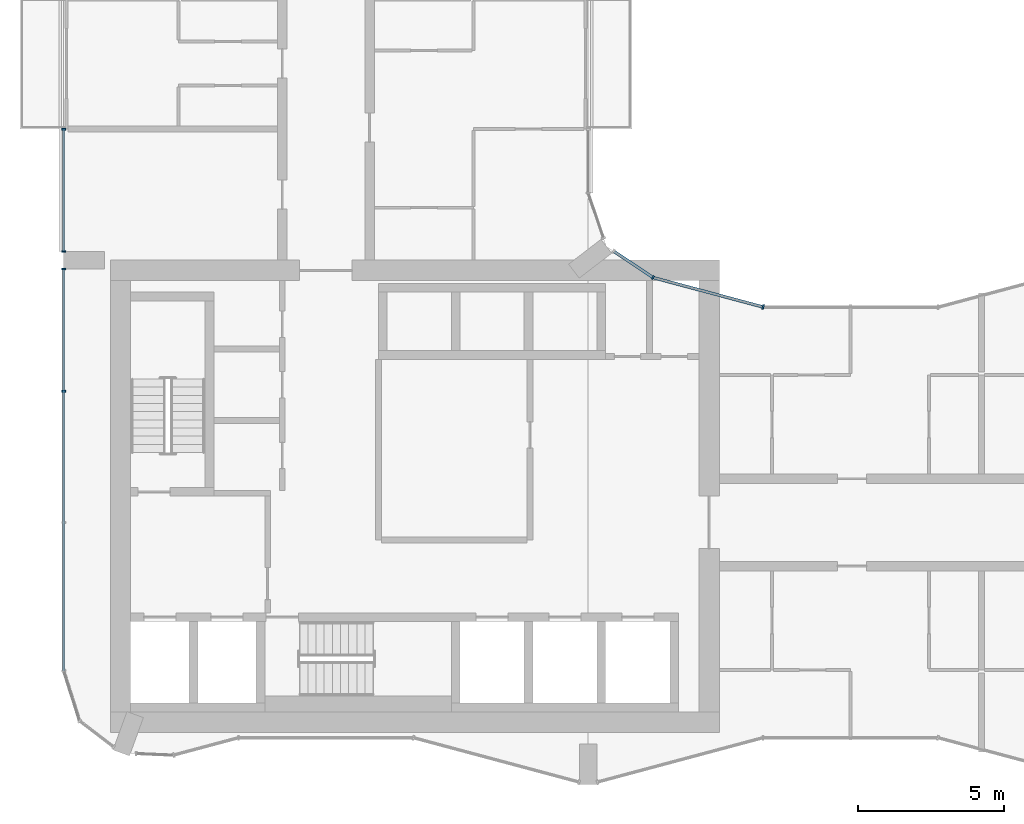
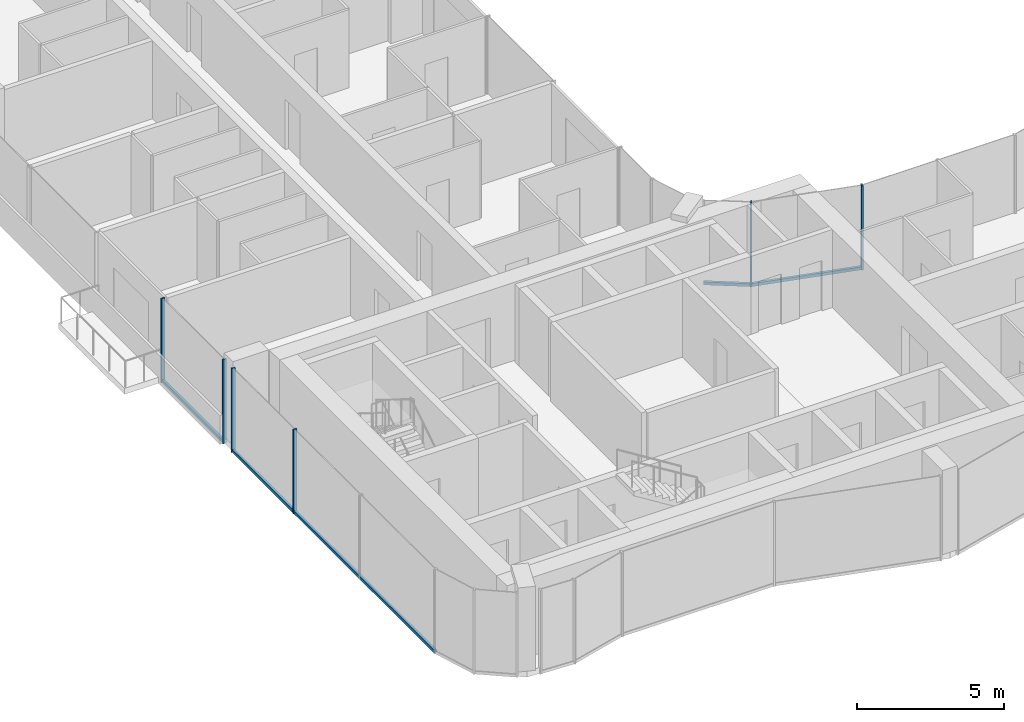
# One storey, part 3 of 23: 10 members, 4 elements without a shape of their own.
"""IFC4 building model written with IfcOpenShell, lengths in metres."""

import ifcopenshell
import ifcopenshell.guid

model = None  # the IFC model being written
_history = None  # IfcOwnerHistory: only IFC2X3 demands one
_inside = {}  # id of a spatial element -> (the spatial element, [elements in it])
_under = {}  # id of a project, library or spatial element -> (it, [spatial elements below it])
_declared = {}  # id of a project -> (the project, [libraries it declares])
_typed = {}  # id of a type object -> (the type object, [elements of that type])
_made_of = {}  # id of a material, layer set ... -> (it, [elements and type objects made of it])


def new_model(schema):
    """Start an empty IFC model of exactly this schema.

    Asked for "IFC4X3", IfcOpenShell would pick the latest addendum, in which some entities
    have other attributes; the version numbers below select the first issue.
    IFC2X3 requires an IfcOwnerHistory on every rooted entity: one is made here for all.
    """
    global model, _history
    if schema == "IFC4X3":
        model = ifcopenshell.file(schema_version=(4, 3, 0, 0))
    else:
        model = ifcopenshell.file(schema=schema)
    _inside.clear()
    _under.clear()
    _declared.clear()
    _typed.clear()
    _made_of.clear()
    _history = None
    if model.schema == "IFC2X3":
        org = make("IfcOrganization", Name="unknown")
        user = make(
            "IfcPersonAndOrganization",
            ThePerson=make("IfcPerson", FamilyName="unknown"),
            TheOrganization=org,
        )
        app = make(
            "IfcApplication",
            ApplicationDeveloper=org,
            Version="unknown",
            ApplicationFullName="unknown",
            ApplicationIdentifier="unknown",
        )
        _history = make(
            "IfcOwnerHistory",
            OwningUser=user,
            OwningApplication=app,
            ChangeAction="ADDED",
            CreationDate=0,
        )
    return model


def make(cls, **values):
    """One entity of the class cls with the attributes given. An attribute that is None is left unset."""
    return model.create_entity(
        cls, **{name: value for name, value in values.items() if value is not None}
    )


def rooted(cls, **values):
    """An entity with a GlobalId (a new one), such as an element, a storey or a relation."""
    return make(cls, GlobalId=ifcopenshell.guid.new(), OwnerHistory=_history, **values)


def si_unit(unit_type, name, prefix=None):
    """IfcSIUnit, for example si_unit("LENGTHUNIT", "METRE", prefix="MILLI")."""
    return make("IfcSIUnit", UnitType=unit_type, Prefix=prefix, Name=name)


def assignment(units):
    """IfcUnitAssignment: the units of a project."""
    return None if units is None else make("IfcUnitAssignment", Units=units)


def point(xyz):
    """IfcCartesianPoint."""
    return None if xyz is None else make("IfcCartesianPoint", Coordinates=xyz)


def direction(xyz):
    """IfcDirection."""
    return None if xyz is None else make("IfcDirection", DirectionRatios=xyz)


def frame(location, z_axis=None, x_axis=None):
    """IfcAxis2Placement3D, a coordinate frame: its origin and axes. An axis left out is left unset."""
    return make(
        "IfcAxis2Placement3D",
        Location=point(location),
        Axis=direction(z_axis),
        RefDirection=direction(x_axis),
    )


def frame_2d(location, x_axis=None):
    """IfcAxis2Placement2D, a coordinate frame in the plane: its origin and x axis."""
    return make(
        "IfcAxis2Placement2D", Location=point(location), RefDirection=direction(x_axis)
    )


def origin():
    """The frame at (0, 0, 0) with its axes left unset."""
    return frame((0.0, 0.0, 0.0))


def origin_2d():
    """The frame at (0, 0) in the plane with its x axis left unset."""
    return frame_2d((0.0, 0.0))


def place(relative_to, where):
    """IfcLocalPlacement: puts the frame where relative to a parent placement (None: the world)."""
    return make(
        "IfcLocalPlacement", PlacementRelTo=relative_to, RelativePlacement=where
    )


def context(
    kind, dimensions, precision=None, world=None, true_north=None, identifier=None
):
    """IfcGeometricRepresentationContext, for example the 3D "Model" context."""
    return make(
        "IfcGeometricRepresentationContext",
        ContextIdentifier=identifier,
        ContextType=kind,
        CoordinateSpaceDimension=dimensions,
        Precision=precision,
        WorldCoordinateSystem=world,
        TrueNorth=true_north,
    )


def subcontext(parent, identifier, kind, view, scale=None):
    """IfcGeometricRepresentationSubContext, for example "Body" below "Model"."""
    return make(
        "IfcGeometricRepresentationSubContext",
        ContextIdentifier=identifier,
        ContextType=kind,
        ParentContext=parent,
        TargetScale=scale,
        TargetView=view,
    )


def project(units=None, contexts=None):
    """IfcProject with its units and contexts."""
    return rooted(
        "IfcProject",
        Name="project",
        RepresentationContexts=contexts,
        UnitsInContext=assignment(units),
    )


def spatial(cls, under=None, at=None, **own):
    """A site, building, storey or space (cls), placed at a placement, below another one or the project."""
    s = rooted(cls, ObjectPlacement=at, **own)
    if under is not None:
        _under.setdefault(under.id(), (under, []))[1].append(s)
    return s


def profile(cls, at=None, kind="AREA", **sizes):
    """A parametric profile (cls). Its sizes go by their IFC names, for example OverallWidth=200.0."""
    return make(cls, ProfileType=kind, Position=at, **sizes)


def rectangle(**sizes):
    """IfcRectangleProfileDef."""
    return profile("IfcRectangleProfileDef", **sizes)


def extrude(swept, where, along, depth):
    """IfcExtrudedAreaSolid: the profile swept, set in the frame where, extruded along a direction by depth."""
    return make(
        "IfcExtrudedAreaSolid",
        SweptArea=swept,
        Position=where,
        ExtrudedDirection=direction(along),
        Depth=depth,
    )


def shape(context_of_items, identifier, shape_type, items):
    """IfcShapeRepresentation: the items that make up one representation, for example the "Body"."""
    return make(
        "IfcShapeRepresentation",
        ContextOfItems=context_of_items,
        RepresentationIdentifier=identifier,
        RepresentationType=shape_type,
        Items=items,
    )


def material(Name=None, Category=None):
    """IfcMaterial."""
    return make("IfcMaterial", Name=Name, Category=Category)


def layer(
    of_material, thickness, ventilated=None, Name=None, Category=None, Priority=None
):
    """IfcMaterialLayer: one layer of a wall or slab, of a material (None: an air gap)."""
    return make(
        "IfcMaterialLayer",
        Material=of_material,
        LayerThickness=thickness,
        IsVentilated=ventilated,
        Name=Name,
        Category=Category,
        Priority=Priority,
    )


def layer_set(layers, Name=None):
    """IfcMaterialLayerSet."""
    return make("IfcMaterialLayerSet", MaterialLayers=layers, LayerSetName=Name)


def material_profile(
    of_material, cross_section, Name=None, Category=None, Priority=None
):
    """IfcMaterialProfile: a cross section and its material."""
    return make(
        "IfcMaterialProfile",
        Name=Name,
        Material=of_material,
        Profile=cross_section,
        Priority=Priority,
        Category=Category,
    )


def profile_set(profiles, Name=None, composite=None):
    """IfcMaterialProfileSet."""
    return make(
        "IfcMaterialProfileSet",
        Name=Name,
        MaterialProfiles=profiles,
        CompositeProfile=composite,
    )


def made_of(thing, what):
    """Note that an element or type object is made of a material, layer set ...; save() writes the relation."""
    if what is not None:
        _made_of.setdefault(what.id(), (what, []))[1].append(thing)
    return thing


def type_object(cls, material=None, **own):
    """A type object (cls), such as IfcWallType, which elements share."""
    return made_of(rooted(cls, **own), material)


def element(
    cls,
    number,
    at=None,
    inside=None,
    cuts=None,
    type_object=None,
    material=None,
    context=None,
    identifier="Body",
    shape_type=None,
    held_by="IfcProductDefinitionShape",
    body=None,
    shapes=None,
    **own,
):
    """One element of the class cls, such as IfcWall. Its Tag is "e" and its number.

    at: its placement. inside: the storey or other place that contains it. cuts: it is an
    opening in that element (IfcRelVoidsElement). A single representation is given by context,
    identifier, shape_type and body (its items); several are given by shapes. held_by: the class
    of the entity that holds the representations. save() writes the other relations.
    """
    e = rooted(cls, Tag="e%d" % number, ObjectPlacement=at, **own)
    if body is not None:
        shapes = [shape(context, identifier, shape_type, body)]
    if shapes is not None:
        e.Representation = make(held_by, Representations=shapes)
    if inside is not None:
        _inside.setdefault(inside.id(), (inside, []))[1].append(e)
    if cuts is not None:
        rooted(
            "IfcRelVoidsElement", RelatingBuildingElement=cuts, RelatedOpeningElement=e
        )
    if type_object is not None:
        _typed.setdefault(type_object.id(), (type_object, []))[1].append(e)
    return made_of(e, material)


def aggregate(whole, parts):
    """IfcRelAggregates: a whole, such as a stair, and the parts it consists of."""
    return rooted("IfcRelAggregates", RelatingObject=whole, RelatedObjects=parts)


def save(model, path):
    """Write the relations noted so far, then the file.

    IfcRelAggregates (storeys below a building ...), IfcRelContainedInSpatialStructure (elements
    in a storey), IfcRelDefinesByType, IfcRelAssociatesMaterial and IfcRelDeclares: one each for
    every whole, place, type object, material and project.
    """
    for whole, parts in _under.values():
        aggregate(whole, parts)
    for where, things in _inside.values():
        rooted(
            "IfcRelContainedInSpatialStructure",
            RelatedElements=things,
            RelatingStructure=where,
        )
    for kind, things in _typed.values():
        rooted("IfcRelDefinesByType", RelatedObjects=things, RelatingType=kind)
    for what, things in _made_of.values():
        rooted("IfcRelAssociatesMaterial", RelatedObjects=things, RelatingMaterial=what)
    for by, libraries in _declared.values():
        rooted("IfcRelDeclares", RelatingContext=by, RelatedDefinitions=libraries)
    model.write(path)


model = new_model("IFC4")

# Units and contexts
model_context = context("Model", 3, precision=1e-05, world=origin(), true_north=direction((0.0, 1.0)))
body_context = subcontext(model_context, "Body", "Model", "MODEL_VIEW")
ifc_project = project(units=[si_unit("LENGTHUNIT", "METRE"), si_unit("AREAUNIT", "SQUARE_METRE"), si_unit("VOLUMEUNIT", "CUBIC_METRE"), si_unit("PLANEANGLEUNIT", "RADIAN"), si_unit("MASSUNIT", "GRAM", prefix="KILO")], contexts=[model_context])

# Site, building, storey
site_placement = place(None, origin())
site = spatial("IfcSite", under=ifc_project, at=site_placement, CompositionType="ELEMENT")
building_placement = place(site_placement, origin())
building = spatial("IfcBuilding", under=site, at=building_placement, Name="Plateau Cross Towers", CompositionType="ELEMENT")
storey_placement = place(building_placement, frame((0.0, 0.0, 81.800048828125)))
storey = spatial("IfcBuildingStorey", under=building, at=storey_placement, Name="L20", CompositionType="ELEMENT", Elevation=81.800048828125)

# Curtain wall, member
ifc_material_1 = material(Name="Dark low-iron glass", Category="glass")
ifc_layer_1 = layer(ifc_material_1, 0.239990234375)
ifc_layer_set_1 = layer_set([ifc_layer_1], Name="Dark low-iron glass")
curtain_wall_type_1 = type_object("IfcCurtainWallType", Name="Curtain wall flush unitised CW-B", PredefinedType="NOTDEFINED", material=ifc_layer_set_1)
curtain_wall_1_placement = place(storey_placement, origin())
curtain_wall_1 = element("IfcCurtainWall", 1, at=curtain_wall_1_placement, inside=storey, type_object=curtain_wall_type_1, Name="ENV/A/L20/A202_174", PredefinedType="NOTDEFINED")
ifc_material_2 = material(Name="Black anodised aluminium", Category="aluminium")
ifc_material_profile_1 = material_profile(ifc_material_2, rectangle(XDim=0.06005859375, YDim=0.139892578125, at=origin_2d()), Name="MULLION 60x140")
ifc_profile_set_1 = profile_set([ifc_material_profile_1], Name="Black anodised aluminium")
member_type_1 = type_object("IfcMemberType", Name="Mullion 60x140 flush unitised", PredefinedType="MULLION", material=ifc_profile_set_1)
member_1_placement = place(storey_placement, frame((20.223876953125, 17.404296875, -0.25), z_axis=(0.0, 0.0, 1.0), x_axis=(-0.831521253329, 0.555492938984, 0.0)))
member_1 = element("IfcMember", 2, at=member_1_placement, type_object=member_type_1, Name="CW-B mullion 1", PredefinedType="MULLION", context=body_context, shape_type="SweptSolid", body=[
    extrude(rectangle(XDim=0.06005859375, YDim=0.139892578125, at=origin_2d()), origin(), (0.0, 0.0, 1.0), 3.5),
])

# Curtain wall, members
curtain_wall_2_placement = place(storey_placement, origin())
curtain_wall_2 = element("IfcCurtainWall", 3, at=curtain_wall_2_placement, inside=storey, type_object=curtain_wall_type_1, Name="ENV/A/L20/A0_225", PredefinedType="NOTDEFINED")
member_2_placement = place(storey_placement, frame((0.0, 22.489990234375, -0.25), z_axis=(0.0, 0.0, 1.0), x_axis=(0.0, -1.0, 0.0)))
member_2 = element("IfcMember", 4, at=member_2_placement, type_object=member_type_1, Name="CW-B mullion 1", PredefinedType="MULLION", context=body_context, shape_type="SweptSolid", body=[
    extrude(rectangle(XDim=0.06005859375, YDim=0.139892578125, at=origin_2d()), origin(), (0.0, 0.0, 1.0), 3.5),
])
member_3_placement = place(storey_placement, frame((0.0, 18.300048828125, -0.25), z_axis=(0.0, 0.0, 1.0), x_axis=(0.0, -1.0, 0.0)))
member_3 = element("IfcMember", 5, at=member_3_placement, type_object=member_type_1, Name="CW-B mullion 2", PredefinedType="MULLION", context=body_context, shape_type="SweptSolid", body=[
    extrude(rectangle(XDim=0.06005859375, YDim=0.139892578125, at=origin_2d()), origin(), (0.0, 0.0, 1.0), 3.5),
])

curtain_wall_3_placement = place(storey_placement, origin())
curtain_wall_3 = element("IfcCurtainWall", 6, at=curtain_wall_3_placement, inside=storey, type_object=curtain_wall_type_1, Name="ENV/A/L20/A0_177", PredefinedType="NOTDEFINED")
member_4_placement = place(storey_placement, frame((0.0, 17.699951171875, -0.25), z_axis=(0.0, 0.0, 1.0), x_axis=(0.0, -1.0, 0.0)))
member_4 = element("IfcMember", 7, at=member_4_placement, type_object=member_type_1, Name="CW-B mullion 1", PredefinedType="MULLION", context=body_context, shape_type="SweptSolid", body=[
    extrude(rectangle(XDim=0.06005859375, YDim=0.139892578125, at=origin_2d()), origin(), (0.0, 0.0, 1.0), 3.5),
])
member_5_placement = place(storey_placement, frame((0.0, 13.5, -0.25), z_axis=(0.0, 0.0, 1.0), x_axis=(0.0, -1.0, 0.0)))
member_5 = element("IfcMember", 8, at=member_5_placement, type_object=member_type_1, Name="CW-B mullion 2", PredefinedType="MULLION", context=body_context, shape_type="SweptSolid", body=[
    extrude(rectangle(XDim=0.06005859375, YDim=0.139892578125, at=origin_2d()), origin(), (0.0, 0.0, 1.0), 3.5),
])

# Curtain wall, member
ifc_layer_2 = layer(ifc_material_1, 0.260009765625)
ifc_layer_set_2 = layer_set([ifc_layer_2], Name="Dark low-iron glass")
curtain_wall_type_2 = type_object("IfcCurtainWallType", Name="Curtain wall fluted unitised CW-A", PredefinedType="NOTDEFINED", material=ifc_layer_set_2)
curtain_wall_4_placement = place(storey_placement, origin())
curtain_wall_4 = element("IfcCurtainWall", 9, at=curtain_wall_4_placement, inside=storey, type_object=curtain_wall_type_2, Name="ENV/A/L20/A240_164", PredefinedType="NOTDEFINED")
ifc_material_profile_2 = material_profile(ifc_material_2, rectangle(XDim=0.06005859375, YDim=0.159912109375, at=origin_2d()), Name="MULLION 60x160")
ifc_profile_set_2 = profile_set([ifc_material_profile_2], Name="Black anodised aluminium")
member_type_2 = type_object("IfcMemberType", Name="Mullion 60x160 fluted unitised", PredefinedType="MULLION", material=ifc_profile_set_2)
member_6_placement = place(storey_placement, frame((24.0, 16.39306640625, -0.25), z_axis=(0.0, 0.0, 1.0), x_axis=(-0.965957995816, 0.258698956933, 0.0)))
member_6 = element("IfcMember", 10, at=member_6_placement, type_object=member_type_2, Name="CW-A mullion 1", PredefinedType="MULLION", context=body_context, shape_type="SweptSolid", body=[
    extrude(rectangle(XDim=0.06005859375, YDim=0.159912109375, at=origin_2d()), origin(), (0.0, 0.0, 1.0), 3.5),
])

# Member
ifc_material_profile_3 = material_profile(ifc_material_2, rectangle(XDim=0.10009765625, YDim=0.1201171875, at=origin_2d()), Name="TRANSOM 100x120")
ifc_profile_set_3 = profile_set([ifc_material_profile_3], Name="Black anodised aluminium")
member_type_3 = type_object("IfcMemberType", Name="Transom 100x120 flush unitised", PredefinedType="USERDEFINED", material=ifc_profile_set_3)
member_7_placement = place(storey_placement, frame((20.223876953125, 17.404296875, -0.18994140625), z_axis=(-0.831496402487, 0.555530136582, 0.0), x_axis=(-0.555530136582, -0.831496402487, 0.0)))
member_7 = element("IfcMember", 11, at=member_7_placement, type_object=member_type_3, Name="CW-B transom", ObjectType="TRANSOM", PredefinedType="USERDEFINED", context=body_context, shape_type="SweptSolid", body=[
    extrude(rectangle(XDim=0.10009765625, YDim=0.1201171875, at=origin_2d()), origin(), (0.0, 0.0, 1.0), 1.628662109375),
])

aggregate(curtain_wall_1, [member_1, member_7])

member_8_placement = place(storey_placement, frame((0.0, 22.489990234375, -0.18994140625), z_axis=(0.0, -1.0, 0.0), x_axis=(1.0, 0.0, 0.0)))
member_8 = element("IfcMember", 12, at=member_8_placement, type_object=member_type_3, Name="CW-B transom", ObjectType="TRANSOM", PredefinedType="USERDEFINED", context=body_context, shape_type="SweptSolid", body=[
    extrude(rectangle(XDim=0.10009765625, YDim=0.1201171875, at=origin_2d()), origin(), (0.0, 0.0, 1.0), 4.18994140625),
])

aggregate(curtain_wall_2, [member_2, member_3, member_8])

member_9_placement = place(storey_placement, frame((0.0, 17.699951171875, -0.18994140625), z_axis=(0.0, -1.0, 0.0), x_axis=(1.0, 0.0, 0.0)))
member_9 = element("IfcMember", 13, at=member_9_placement, type_object=member_type_3, Name="CW-B transom", ObjectType="TRANSOM", PredefinedType="USERDEFINED", context=body_context, shape_type="SweptSolid", body=[
    extrude(rectangle(XDim=0.10009765625, YDim=0.1201171875, at=origin_2d()), origin(), (0.0, 0.0, 1.0), 13.790771484375),
])

aggregate(curtain_wall_3, [member_4, member_5, member_9])

ifc_material_profile_4 = material_profile(ifc_material_2, rectangle(XDim=0.10009765625, YDim=0.1201171875, at=origin_2d()), Name="TRANSOM 100x120")
ifc_profile_set_4 = profile_set([ifc_material_profile_4], Name="Black anodised aluminium")
member_type_4 = type_object("IfcMemberType", Name="Transom 100x120 fluted unitised", PredefinedType="USERDEFINED", material=ifc_profile_set_4)
member_10_placement = place(storey_placement, frame((24.0, 16.39306640625, -0.18994140625), z_axis=(-0.965962822393, 0.25868093427, 0.0), x_axis=(-0.25868093427, -0.965962822393, 0.0)))
member_10 = element("IfcMember", 14, at=member_10_placement, type_object=member_type_4, Name="CW-A transom", ObjectType="TRANSOM", PredefinedType="USERDEFINED", context=body_context, shape_type="SweptSolid", body=[
    extrude(rectangle(XDim=0.10009765625, YDim=0.1201171875, at=origin_2d()), origin(), (0.0, 0.0, 1.0), 3.9091796875),
])

aggregate(curtain_wall_4, [member_6, member_10])

save(model, "model.ifc")
